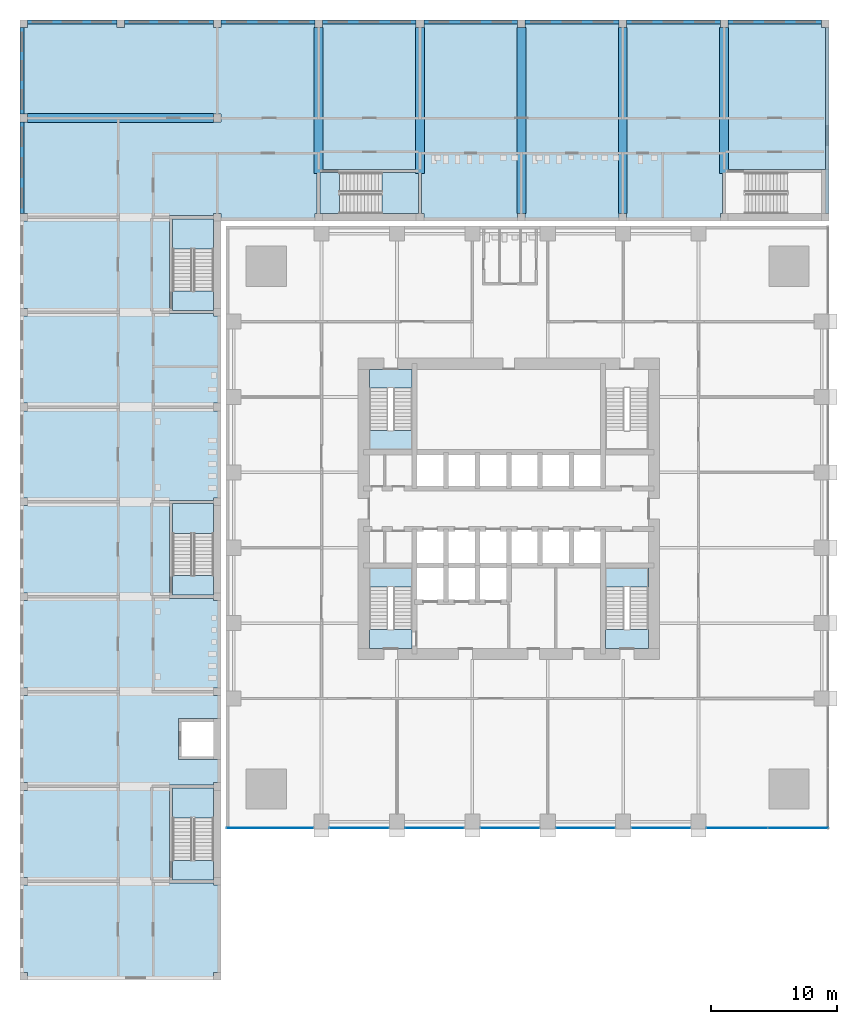
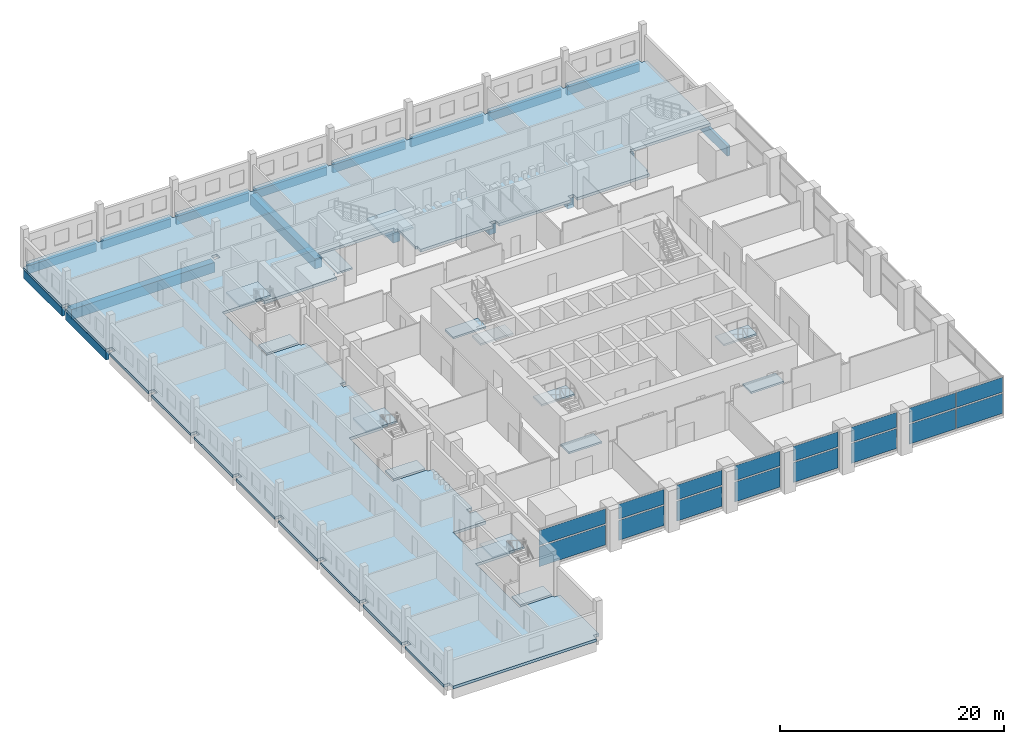
# One storey, part 8 of 24: 17 beams, 16 plates, 15 slabs, 14 elements without a shape of their own.
"""IFC4 building model written with IfcOpenShell, lengths in metres."""

from ifc_helpers import new_model, si_unit, direction, frame, origin, origin_2d, place, context, subcontext, project, spatial, polyline, rectangle, outline, extrude, material, layer, layer_set, material_profile, profile_set, type_object, element, aggregate, save


model = new_model("IFC4")

# Units and contexts
model_context = context("Model", 3, precision=1e-05, world=origin(), true_north=direction((0.0, 1.0)))
body_context = subcontext(model_context, "Body", "Model", "MODEL_VIEW")
ifc_project = project(units=[si_unit("LENGTHUNIT", "METRE"), si_unit("AREAUNIT", "SQUARE_METRE"), si_unit("VOLUMEUNIT", "CUBIC_METRE"), si_unit("PLANEANGLEUNIT", "RADIAN"), si_unit("MASSUNIT", "GRAM", prefix="KILO")], contexts=[model_context])

# Site, building, storey
site_placement = place(None, origin())
site = spatial("IfcSite", under=ifc_project, at=site_placement, CompositionType="ELEMENT")
building_placement = place(site_placement, origin())
building = spatial("IfcBuilding", under=site, at=building_placement, Name="Amberfall Residences", CompositionType="ELEMENT")
storey_placement = place(building_placement, frame((0.0, 0.0, 19.0)))
storey = spatial("IfcBuildingStorey", under=building, at=storey_placement, Name="L04", CompositionType="ELEMENT", Elevation=19.0)

# Beams
ifc_material_1 = material(Name="Concrete C40", Category="concrete")
ifc_material_profile_1 = material_profile(ifc_material_1, rectangle(XDim=0.699951171875, YDim=1.10009765625, at=origin_2d()), Name="School beam 700 x 1100 C40")
ifc_profile_set_1 = profile_set([ifc_material_profile_1], Name="Concrete C40")
beam_type_1 = type_object("IfcBeamType", Name="School beam 700 x 1100 C40", PredefinedType="BEAM", material=ifc_profile_set_1)
beam_1_placement = place(storey_placement, frame((36.199951171875, 76.60009765625, -0.85009765625), z_axis=(1.0, 0.0, 0.0), x_axis=(0.0, 1.0, 0.0)))
element("IfcBeam", 1, at=beam_1_placement, inside=storey, type_object=beam_type_1, Name="TW9", PredefinedType="BEAM", context=body_context, shape_type="SweptSolid", body=[
    extrude(rectangle(XDim=0.699951171875, YDim=1.10009765625, at=origin_2d()), origin(), (0.0, 0.0, 1.0), 14.800048828125),
])
for number, where, z_axis, x_axis, name in (
    (2, (59.366943359375, 72.199951171875, -0.85009765625), (0.0, 1.0, 0.0), (-1.0, 0.0, 0.0), "TN1"),
    (3, (67.43310546875, 72.199951171875, -0.85009765625), (0.0, 1.0, 0.0), (-1.0, 0.0, 0.0), "TN2"),
):
    element("IfcBeam", number, at=place(storey_placement, frame(where, z_axis=z_axis, x_axis=x_axis)), inside=storey, type_object=beam_type_1, Name=name, PredefinedType="BEAM", context=body_context, shape_type="SweptSolid", body=[
        extrude(rectangle(XDim=0.699951171875, YDim=1.10009765625, at=origin_2d()), origin(), (0.0, 0.0, 1.0), 11.60009765625),
    ])
for number, where, z_axis, x_axis, name in (
    (4, (75.5, 69.0, -0.85009765625), (0.0, 1.0, 0.0), (-1.0, 0.0, 0.0), "TN3"),
    (5, (83.56689453125, 69.0, -0.85009765625), (0.0, 1.0, 0.0), (-1.0, 0.0, 0.0), "TN4"),
):
    element("IfcBeam", number, at=place(storey_placement, frame(where, z_axis=z_axis, x_axis=x_axis)), inside=storey, type_object=beam_type_1, Name=name, PredefinedType="BEAM", context=body_context, shape_type="SweptSolid", body=[
        extrude(rectangle(XDim=0.699951171875, YDim=1.10009765625, at=origin_2d()), origin(), (0.0, 0.0, 1.0), 14.800048828125),
    ])
beam_2_placement = place(storey_placement, frame((91.633056640625, 72.199951171875, -0.85009765625), z_axis=(0.0, 1.0, 0.0), x_axis=(-1.0, 0.0, 0.0)))
element("IfcBeam", 6, at=beam_2_placement, inside=storey, type_object=beam_type_1, Name="TN5", PredefinedType="BEAM", context=body_context, shape_type="SweptSolid", body=[
    extrude(rectangle(XDim=0.699951171875, YDim=1.10009765625, at=origin_2d()), origin(), (0.0, 0.0, 1.0), 11.60009765625),
])
ifc_material_profile_2 = material_profile(ifc_material_1, rectangle(XDim=0.300048828125, YDim=0.89990234375, at=origin_2d()), Name="School edge beam 300 x 900 C40")
ifc_profile_set_2 = profile_set([ifc_material_profile_2], Name="Concrete C40")
beam_type_2 = type_object("IfcBeamType", Name="School edge beam 300 x 900 C40", PredefinedType="BEAM", material=ifc_profile_set_2)
beam_3_placement = place(storey_placement, frame((35.75, 69.0, -0.75), z_axis=(0.0, 1.0, 0.0), x_axis=(-1.0, 0.0, 0.0)))
element("IfcBeam", 7, at=beam_3_placement, inside=storey, type_object=beam_type_2, Name="GW8", PredefinedType="BEAM", context=body_context, shape_type="SweptSolid", body=[
    extrude(rectangle(XDim=0.300048828125, YDim=0.89990234375, at=origin_2d()), origin(), (0.0, 0.0, 1.0), 7.300048828125),
])
beam_4_placement = place(storey_placement, frame((35.75, 76.89990234375, -0.75), z_axis=(0.0, 1.0, 0.0), x_axis=(-1.0, 0.0, 0.0)))
element("IfcBeam", 8, at=beam_4_placement, inside=storey, type_object=beam_type_2, Name="GW9", PredefinedType="BEAM", context=body_context, shape_type="SweptSolid", body=[
    extrude(rectangle(XDim=0.300048828125, YDim=0.89990234375, at=origin_2d()), origin(), (0.0, 0.0, 1.0), 6.900146484375),
])
for number, where, z_axis, x_axis, name in (
    (9, (36.199951171875, 84.25, -0.75), (1.0, 0.0, 0.0), (0.0, 1.0, 0.0), "GN0"),
    (10, (43.89990234375, 84.25, -0.75), (1.0, 0.0, 0.0), (0.0, 1.0, 0.0), "GN1"),
):
    element("IfcBeam", number, at=place(storey_placement, frame(where, z_axis=z_axis, x_axis=x_axis)), inside=storey, type_object=beam_type_2, Name=name, PredefinedType="BEAM", context=body_context, shape_type="SweptSolid", body=[
        extrude(rectangle(XDim=0.300048828125, YDim=0.89990234375, at=origin_2d()), origin(), (0.0, 0.0, 1.0), 7.10009765625),
    ])
beam_5_placement = place(storey_placement, frame((51.60009765625, 84.25, -0.75), z_axis=(1.0, 0.0, 0.0), x_axis=(0.0, 1.0, 0.0)))
element("IfcBeam", 11, at=beam_5_placement, inside=storey, type_object=beam_type_2, Name="GN2", PredefinedType="BEAM", context=body_context, shape_type="SweptSolid", body=[
    extrude(rectangle(XDim=0.300048828125, YDim=0.89990234375, at=origin_2d()), origin(), (0.0, 0.0, 1.0), 7.466796875),
])
beam_6_placement = place(storey_placement, frame((59.6669921875, 84.25, -0.75), z_axis=(1.0, 0.0, 0.0), x_axis=(0.0, 1.0, 0.0)))
element("IfcBeam", 12, at=beam_6_placement, inside=storey, type_object=beam_type_2, Name="GN3", PredefinedType="BEAM", context=body_context, shape_type="SweptSolid", body=[
    extrude(rectangle(XDim=0.300048828125, YDim=0.89990234375, at=origin_2d()), origin(), (0.0, 0.0, 1.0), 7.466064453125),
])
for number, where, z_axis, x_axis, name in (
    (13, (67.73291015625, 84.25, -0.75), (1.0, 0.0, 0.0), (0.0, 1.0, 0.0), "GN4"),
    (14, (75.800048828125, 84.25, -0.75), (1.0, 0.0, 0.0), (0.0, 1.0, 0.0), "GN5"),
):
    element("IfcBeam", number, at=place(storey_placement, frame(where, z_axis=z_axis, x_axis=x_axis)), inside=storey, type_object=beam_type_2, Name=name, PredefinedType="BEAM", context=body_context, shape_type="SweptSolid", body=[
        extrude(rectangle(XDim=0.300048828125, YDim=0.89990234375, at=origin_2d()), origin(), (0.0, 0.0, 1.0), 7.467041015625),
    ])
beam_7_placement = place(storey_placement, frame((83.866943359375, 84.25, -0.75), z_axis=(1.0, 0.0, 0.0), x_axis=(0.0, 1.0, 0.0)))
element("IfcBeam", 15, at=beam_7_placement, inside=storey, type_object=beam_type_2, Name="GN6", PredefinedType="BEAM", context=body_context, shape_type="SweptSolid", body=[
    extrude(rectangle(XDim=0.300048828125, YDim=0.89990234375, at=origin_2d()), origin(), (0.0, 0.0, 1.0), 7.466064453125),
])
beam_8_placement = place(storey_placement, frame((91.93310546875, 84.25, -0.75), z_axis=(1.0, 0.0, 0.0), x_axis=(0.0, 1.0, 0.0)))
element("IfcBeam", 16, at=beam_8_placement, inside=storey, type_object=beam_type_2, Name="GN7", PredefinedType="BEAM", context=body_context, shape_type="SweptSolid", body=[
    extrude(rectangle(XDim=0.300048828125, YDim=0.89990234375, at=origin_2d()), origin(), (0.0, 0.0, 1.0), 7.466796875),
])
ifc_material_profile_3 = material_profile(ifc_material_1, rectangle(XDim=0.300048828125, YDim=1.10009765625, at=origin_2d()), Name="School end beam 300 x 1100 C40")
ifc_profile_set_3 = profile_set([ifc_material_profile_3], Name="Concrete C40")
beam_type_3 = type_object("IfcBeamType", Name="School end beam 300 x 1100 C40", PredefinedType="BEAM", material=ifc_profile_set_3)
beam_9_placement = place(storey_placement, frame((99.85009765625, 69.0, -0.85009765625), z_axis=(0.0, 1.0, 0.0), x_axis=(-1.0, 0.0, 0.0)))
element("IfcBeam", 17, at=beam_9_placement, inside=storey, type_object=beam_type_3, Name="EE", PredefinedType="BEAM", context=body_context, shape_type="SweptSolid", body=[
    extrude(rectangle(XDim=0.300048828125, YDim=1.10009765625, at=origin_2d()), origin(), (0.0, 0.0, 1.0), 14.800048828125),
])

# Curtain wall, plates
ifc_material_2 = material(Name="Bronze anodised aluminium and glass", Category="aluminium")
curtain_wall_type = type_object("IfcCurtainWallType", Name="Curtain wall CW4 podium storefront", PredefinedType="USERDEFINED", material=ifc_material_2)
curtain_wall_1_placement = place(storey_placement, origin())
curtain_wall_1 = element("IfcCurtainWall", 18, at=curtain_wall_1_placement, inside=storey, type_object=curtain_wall_type, Name="Storefront L04 S1", ObjectType="UNITISED CURTAIN WALL", PredefinedType="USERDEFINED")
ifc_material_3 = material(Name="Clear toughened glazing", Category="glass")
ifc_layer_1 = layer(ifc_material_3, 0.028076171875)
ifc_layer_set_1 = layer_set([ifc_layer_1], Name="CW4 panel 28 glazing")
plate_type = type_object("IfcPlateType", Name="CW4 panel 28 glazing", PredefinedType="CURTAIN_PANEL", material=ifc_layer_set_1)
plate_1_placement = place(storey_placement, frame((55.5, 20.10009765625, 0.14990234375), z_axis=(0.0, 0.0, 1.0), x_axis=(1.0, 0.0, 0.0)))
plate_1 = element("IfcPlate", 19, at=plate_1_placement, type_object=plate_type, Name="CW4 panel 1.1", PredefinedType="CURTAIN_PANEL", context=body_context, shape_type="SweptSolid", body=[
    extrude(rectangle(XDim=6.860107421875, YDim=0.028076171875, at=origin_2d()), origin(), (0.0, 0.0, 1.0), 2.175048828125),
])
plate_2_placement = place(storey_placement, frame((55.5, 20.10009765625, 2.47509765625), z_axis=(0.0, 0.0, 1.0), x_axis=(1.0, 0.0, 0.0)))
plate_2 = element("IfcPlate", 20, at=plate_2_placement, type_object=plate_type, Name="CW4 panel 1.2", PredefinedType="CURTAIN_PANEL", context=body_context, shape_type="SweptSolid", body=[
    extrude(rectangle(XDim=6.860107421875, YDim=0.028076171875, at=origin_2d()), origin(), (0.0, 0.0, 1.0), 1.625),
])
aggregate(curtain_wall_1, [plate_1, plate_2])

curtain_wall_2_placement = place(storey_placement, origin())
curtain_wall_2 = element("IfcCurtainWall", 21, at=curtain_wall_2_placement, inside=storey, type_object=curtain_wall_type, Name="Storefront L04 S2", ObjectType="UNITISED CURTAIN WALL", PredefinedType="USERDEFINED")
plate_3_placement = place(storey_placement, frame((62.60009765625, 20.10009765625, 0.14990234375), z_axis=(0.0, 0.0, 1.0), x_axis=(1.0, 0.0, 0.0)))
plate_3 = element("IfcPlate", 22, at=plate_3_placement, type_object=plate_type, Name="CW4 panel 1.1", PredefinedType="CURTAIN_PANEL", context=body_context, shape_type="SweptSolid", body=[
    extrude(rectangle(XDim=4.659912109375, YDim=0.028076171875, at=origin_2d()), origin(), (0.0, 0.0, 1.0), 2.175048828125),
])
plate_4_placement = place(storey_placement, frame((62.60009765625, 20.10009765625, 2.47509765625), z_axis=(0.0, 0.0, 1.0), x_axis=(1.0, 0.0, 0.0)))
plate_4 = element("IfcPlate", 23, at=plate_4_placement, type_object=plate_type, Name="CW4 panel 1.2", PredefinedType="CURTAIN_PANEL", context=body_context, shape_type="SweptSolid", body=[
    extrude(rectangle(XDim=4.659912109375, YDim=0.028076171875, at=origin_2d()), origin(), (0.0, 0.0, 1.0), 1.625),
])
aggregate(curtain_wall_2, [plate_3, plate_4])

curtain_wall_3_placement = place(storey_placement, origin())
curtain_wall_3 = element("IfcCurtainWall", 24, at=curtain_wall_3_placement, inside=storey, type_object=curtain_wall_type, Name="Storefront L04 S3", ObjectType="UNITISED CURTAIN WALL", PredefinedType="USERDEFINED")
plate_5_placement = place(storey_placement, frame((68.60009765625, 20.10009765625, 0.14990234375), z_axis=(0.0, 0.0, 1.0), x_axis=(1.0, 0.0, 0.0)))
plate_5 = element("IfcPlate", 25, at=plate_5_placement, type_object=plate_type, Name="CW4 panel 1.1", PredefinedType="CURTAIN_PANEL", context=body_context, shape_type="SweptSolid", body=[
    extrude(rectangle(XDim=4.659912109375, YDim=0.028076171875, at=origin_2d()), origin(), (0.0, 0.0, 1.0), 2.175048828125),
])
plate_6_placement = place(storey_placement, frame((68.60009765625, 20.10009765625, 2.47509765625), z_axis=(0.0, 0.0, 1.0), x_axis=(1.0, 0.0, 0.0)))
plate_6 = element("IfcPlate", 26, at=plate_6_placement, type_object=plate_type, Name="CW4 panel 1.2", PredefinedType="CURTAIN_PANEL", context=body_context, shape_type="SweptSolid", body=[
    extrude(rectangle(XDim=4.659912109375, YDim=0.028076171875, at=origin_2d()), origin(), (0.0, 0.0, 1.0), 1.625),
])
aggregate(curtain_wall_3, [plate_5, plate_6])

curtain_wall_4_placement = place(storey_placement, origin())
curtain_wall_4 = element("IfcCurtainWall", 27, at=curtain_wall_4_placement, inside=storey, type_object=curtain_wall_type, Name="Storefront L04 S4", ObjectType="UNITISED CURTAIN WALL", PredefinedType="USERDEFINED")
plate_7_placement = place(storey_placement, frame((74.60009765625, 20.10009765625, 0.14990234375), z_axis=(0.0, 0.0, 1.0), x_axis=(1.0, 0.0, 0.0)))
plate_7 = element("IfcPlate", 28, at=plate_7_placement, type_object=plate_type, Name="CW4 panel 1.1", PredefinedType="CURTAIN_PANEL", context=body_context, shape_type="SweptSolid", body=[
    extrude(rectangle(XDim=4.659912109375, YDim=0.028076171875, at=origin_2d()), origin(), (0.0, 0.0, 1.0), 2.175048828125),
])
plate_8_placement = place(storey_placement, frame((74.60009765625, 20.10009765625, 2.47509765625), z_axis=(0.0, 0.0, 1.0), x_axis=(1.0, 0.0, 0.0)))
plate_8 = element("IfcPlate", 29, at=plate_8_placement, type_object=plate_type, Name="CW4 panel 1.2", PredefinedType="CURTAIN_PANEL", context=body_context, shape_type="SweptSolid", body=[
    extrude(rectangle(XDim=4.659912109375, YDim=0.028076171875, at=origin_2d()), origin(), (0.0, 0.0, 1.0), 1.625),
])
aggregate(curtain_wall_4, [plate_7, plate_8])

curtain_wall_5_placement = place(storey_placement, origin())
curtain_wall_5 = element("IfcCurtainWall", 30, at=curtain_wall_5_placement, inside=storey, type_object=curtain_wall_type, Name="Storefront L04 S5", ObjectType="UNITISED CURTAIN WALL", PredefinedType="USERDEFINED")
plate_9_placement = place(storey_placement, frame((80.60009765625, 20.10009765625, 0.14990234375), z_axis=(0.0, 0.0, 1.0), x_axis=(1.0, 0.0, 0.0)))
plate_9 = element("IfcPlate", 31, at=plate_9_placement, type_object=plate_type, Name="CW4 panel 1.1", PredefinedType="CURTAIN_PANEL", context=body_context, shape_type="SweptSolid", body=[
    extrude(rectangle(XDim=4.659912109375, YDim=0.028076171875, at=origin_2d()), origin(), (0.0, 0.0, 1.0), 2.175048828125),
])
plate_10_placement = place(storey_placement, frame((80.60009765625, 20.10009765625, 2.47509765625), z_axis=(0.0, 0.0, 1.0), x_axis=(1.0, 0.0, 0.0)))
plate_10 = element("IfcPlate", 32, at=plate_10_placement, type_object=plate_type, Name="CW4 panel 1.2", PredefinedType="CURTAIN_PANEL", context=body_context, shape_type="SweptSolid", body=[
    extrude(rectangle(XDim=4.659912109375, YDim=0.028076171875, at=origin_2d()), origin(), (0.0, 0.0, 1.0), 1.625),
])
aggregate(curtain_wall_5, [plate_9, plate_10])

curtain_wall_6_placement = place(storey_placement, origin())
curtain_wall_6 = element("IfcCurtainWall", 33, at=curtain_wall_6_placement, inside=storey, type_object=curtain_wall_type, Name="Storefront L04 S6", ObjectType="UNITISED CURTAIN WALL", PredefinedType="USERDEFINED")
plate_11_placement = place(storey_placement, frame((86.60009765625, 20.10009765625, 0.14990234375), z_axis=(0.0, 0.0, 1.0), x_axis=(1.0, 0.0, 0.0)))
plate_11 = element("IfcPlate", 34, at=plate_11_placement, type_object=plate_type, Name="CW4 panel 1.1", PredefinedType="CURTAIN_PANEL", context=body_context, shape_type="SweptSolid", body=[
    extrude(rectangle(XDim=4.659912109375, YDim=0.028076171875, at=origin_2d()), origin(), (0.0, 0.0, 1.0), 2.175048828125),
])
plate_12_placement = place(storey_placement, frame((86.60009765625, 20.10009765625, 2.47509765625), z_axis=(0.0, 0.0, 1.0), x_axis=(1.0, 0.0, 0.0)))
plate_12 = element("IfcPlate", 35, at=plate_12_placement, type_object=plate_type, Name="CW4 panel 1.2", PredefinedType="CURTAIN_PANEL", context=body_context, shape_type="SweptSolid", body=[
    extrude(rectangle(XDim=4.659912109375, YDim=0.028076171875, at=origin_2d()), origin(), (0.0, 0.0, 1.0), 1.625),
])
aggregate(curtain_wall_6, [plate_11, plate_12])

curtain_wall_7_placement = place(storey_placement, origin())
curtain_wall_7 = element("IfcCurtainWall", 36, at=curtain_wall_7_placement, inside=storey, type_object=curtain_wall_type, Name="Storefront L04 S7", ObjectType="UNITISED CURTAIN WALL", PredefinedType="USERDEFINED")
plate_13_placement = place(storey_placement, frame((92.66748046875, 20.10009765625, 0.14990234375), z_axis=(0.0, 0.0, 1.0), x_axis=(1.0, 0.0, 0.0)))
plate_13 = element("IfcPlate", 37, at=plate_13_placement, type_object=plate_type, Name="CW4 panel 1.1", PredefinedType="CURTAIN_PANEL", context=body_context, shape_type="SweptSolid", body=[
    extrude(rectangle(XDim=4.794921875, YDim=0.028076171875, at=origin_2d()), origin(), (0.0, 0.0, 1.0), 2.175048828125),
])
plate_14_placement = place(storey_placement, frame((92.66748046875, 20.10009765625, 2.47509765625), z_axis=(0.0, 0.0, 1.0), x_axis=(1.0, 0.0, 0.0)))
plate_14 = element("IfcPlate", 38, at=plate_14_placement, type_object=plate_type, Name="CW4 panel 1.2", PredefinedType="CURTAIN_PANEL", context=body_context, shape_type="SweptSolid", body=[
    extrude(rectangle(XDim=4.794921875, YDim=0.028076171875, at=origin_2d()), origin(), (0.0, 0.0, 1.0), 1.625),
])
plate_15_placement = place(storey_placement, frame((97.532470703125, 20.10009765625, 0.14990234375), z_axis=(0.0, 0.0, 1.0), x_axis=(1.0, 0.0, 0.0)))
plate_15 = element("IfcPlate", 39, at=plate_15_placement, type_object=plate_type, Name="CW4 panel 2.1", PredefinedType="CURTAIN_PANEL", context=body_context, shape_type="SweptSolid", body=[
    extrude(rectangle(XDim=4.794921875, YDim=0.028076171875, at=origin_2d()), origin(), (0.0, 0.0, 1.0), 2.175048828125),
])
plate_16_placement = place(storey_placement, frame((97.532470703125, 20.10009765625, 2.47509765625), z_axis=(0.0, 0.0, 1.0), x_axis=(1.0, 0.0, 0.0)))
plate_16 = element("IfcPlate", 40, at=plate_16_placement, type_object=plate_type, Name="CW4 panel 2.2", PredefinedType="CURTAIN_PANEL", context=body_context, shape_type="SweptSolid", body=[
    extrude(rectangle(XDim=4.794921875, YDim=0.028076171875, at=origin_2d()), origin(), (0.0, 0.0, 1.0), 1.625),
])
aggregate(curtain_wall_7, [plate_13, plate_14, plate_15, plate_16])

# Slab
ifc_layer_2 = layer(ifc_material_1, 0.300048828125)
ifc_layer_set_2 = layer_set([ifc_layer_2], Name="School floor slab 300 C40")
slab_type_1 = type_object("IfcSlabType", Name="School floor slab 300 C40", PredefinedType="FLOOR", material=ifc_layer_set_2)
slab_1_placement = place(storey_placement, frame((0.0, 0.0, -0.300048828125)))
element("IfcSlab", 41, at=slab_1_placement, inside=storey, type_object=slab_type_1, Name="School floor L04", PredefinedType="FLOOR", context=body_context, shape_type="SweptSolid", body=[
    extrude(outline(polyline([(36.199951171875, 8.60009765625), (36.199951171875, 8.0), (51.0, 8.0), (51.0, 8.60009765625), (51.60009765625, 8.60009765625), (51.60009765625, 15.550048828125), (51.0, 15.550048828125), (51.0, 15.72509765625), (47.5, 15.72509765625), (47.5, 15.97509765625), (47.5, 23.27490234375), (47.5, 23.52490234375), (51.0, 23.52490234375), (51.0, 23.699951171875), (51.60009765625, 23.699951171875), (51.60009765625, 25.550048828125), (51.0, 25.550048828125), (48.199951171875, 25.550048828125), (48.199951171875, 25.675048828125), (48.199951171875, 25.800048828125), (48.199951171875, 28.550048828125), (48.199951171875, 28.675048828125), (48.199951171875, 28.800048828125), (51.0, 28.800048828125), (51.60009765625, 28.800048828125), (51.60009765625, 30.64990234375), (51.0, 30.64990234375), (51.0, 31.25), (51.60009765625, 31.25), (51.60009765625, 38.199951171875), (51.0, 38.199951171875), (51.0, 38.375), (47.5, 38.375), (47.5, 38.625), (47.5, 45.925048828125), (47.5, 46.175048828125), (51.0, 46.175048828125), (51.0, 46.35009765625), (51.60009765625, 46.35009765625), (51.60009765625, 53.300048828125), (51.0, 53.300048828125), (51.0, 53.89990234375), (51.60009765625, 53.89990234375), (51.60009765625, 60.85009765625), (51.0, 60.85009765625), (51.0, 61.02490234375), (47.5, 61.02490234375), (47.5, 61.27490234375), (47.5, 68.574951171875), (47.5, 68.824951171875), (51.0, 68.824951171875), (51.0, 69.0), (51.60009765625, 69.0), (51.60009765625, 68.39990234375), (59.06689453125, 68.39990234375), (59.06689453125, 69.0), (59.241943359375, 69.0), (59.241943359375, 72.25), (59.491943359375, 72.25), (59.491943359375, 72.5), (67.30810546875, 72.5), (67.30810546875, 72.25), (67.55810546875, 72.25), (67.55810546875, 69.0), (67.73291015625, 69.0), (67.73291015625, 68.39990234375), (75.199951171875, 68.39990234375), (75.199951171875, 69.0), (75.800048828125, 69.0), (75.800048828125, 68.39990234375), (83.26708984375, 68.39990234375), (83.26708984375, 69.0), (83.866943359375, 69.0), (83.866943359375, 68.39990234375), (91.3330078125, 68.39990234375), (91.3330078125, 69.0), (91.508056640625, 69.0), (91.508056640625, 72.25), (91.758056640625, 72.25), (91.758056640625, 72.5), (99.39990234375, 72.5), (100.0, 72.5), (100.0, 83.800048828125), (99.39990234375, 83.800048828125), (99.39990234375, 84.39990234375), (91.93310546875, 84.39990234375), (91.93310546875, 83.800048828125), (91.3330078125, 83.800048828125), (91.3330078125, 84.39990234375), (83.866943359375, 84.39990234375), (83.866943359375, 83.800048828125), (83.26708984375, 83.800048828125), (83.26708984375, 84.39990234375), (75.800048828125, 84.39990234375), (75.800048828125, 83.800048828125), (75.199951171875, 83.800048828125), (75.199951171875, 84.39990234375), (67.73291015625, 84.39990234375), (67.73291015625, 83.800048828125), (67.133056640625, 83.800048828125), (67.133056640625, 84.39990234375), (59.6669921875, 84.39990234375), (59.6669921875, 83.800048828125), (59.06689453125, 83.800048828125), (59.06689453125, 84.39990234375), (51.60009765625, 84.39990234375), (51.60009765625, 83.800048828125), (51.0, 83.800048828125), (51.0, 84.39990234375), (43.89990234375, 84.39990234375), (43.89990234375, 83.800048828125), (43.300048828125, 83.800048828125), (43.300048828125, 84.39990234375), (36.199951171875, 84.39990234375), (36.199951171875, 83.800048828125), (35.60009765625, 83.800048828125), (35.60009765625, 76.89990234375), (36.199951171875, 76.89990234375), (36.199951171875, 76.300048828125), (35.60009765625, 76.300048828125), (35.60009765625, 69.0), (36.199951171875, 69.0), (36.199951171875, 68.39990234375), (35.60009765625, 68.39990234375), (35.60009765625, 61.449951171875), (36.199951171875, 61.449951171875), (36.199951171875, 60.85009765625), (35.60009765625, 60.85009765625), (35.60009765625, 53.89990234375), (36.199951171875, 53.89990234375), (36.199951171875, 53.300048828125), (35.60009765625, 53.300048828125), (35.60009765625, 46.35009765625), (36.199951171875, 46.35009765625), (36.199951171875, 45.75), (35.60009765625, 45.75), (35.60009765625, 38.800048828125), (36.199951171875, 38.800048828125), (36.199951171875, 38.199951171875), (35.60009765625, 38.199951171875), (35.60009765625, 31.25), (36.199951171875, 31.25), (36.199951171875, 30.64990234375), (35.60009765625, 30.64990234375), (35.60009765625, 23.699951171875), (36.199951171875, 23.699951171875), (36.199951171875, 23.10009765625), (35.60009765625, 23.10009765625), (35.60009765625, 16.14990234375), (36.199951171875, 16.14990234375), (36.199951171875, 15.550048828125), (35.60009765625, 15.550048828125), (35.60009765625, 8.60009765625), (36.199951171875, 8.60009765625)]), holes=[polyline([(51.0, 76.300048828125), (51.0, 76.89990234375), (51.60009765625, 76.89990234375), (51.60009765625, 76.300048828125), (51.0, 76.300048828125)])]), origin(), (0.0, 0.0, 1.0), 0.300048828125),
])

# Stair, slabs
stair_type_1 = type_object("IfcStairType", Name="School stair", PredefinedType="HALF_TURN_STAIR", material=ifc_material_1)
stair_1_placement = place(storey_placement, origin())
stair_1 = element("IfcStair", 42, at=stair_1_placement, inside=storey, type_object=stair_type_1, Name="L04 Stair SS1", PredefinedType="HALF_TURN_STAIR")
ifc_layer_3 = layer(ifc_material_1, 0.199951171875)
ifc_layer_set_3 = layer_set([ifc_layer_3], Name="School stair landing")
slab_type_2 = type_object("IfcSlabType", Name="School stair landing", PredefinedType="LANDING", material=ifc_layer_set_3)
slab_2_placement = place(storey_placement, frame((0.0, 0.0, 2.050048828125)))
slab_2 = element("IfcSlab", 43, at=slab_2_placement, type_object=slab_type_2, Name="SS1 landing 1", PredefinedType="LANDING", context=body_context, shape_type="SweptSolid", body=[
    extrude(outline(polyline([(51.0, 20.885009765625), (51.0, 23.27490234375), (47.75, 23.27490234375), (47.75, 20.885009765625), (51.0, 20.885009765625)])), origin(), (0.0, 0.0, 1.0), 0.199951171875),
])
slab_3_placement = place(storey_placement, frame((0.0, 0.0, -0.199951171875)))
slab_3 = element("IfcSlab", 44, at=slab_3_placement, type_object=slab_type_2, Name="SS1 landing 2", PredefinedType="LANDING", context=body_context, shape_type="SweptSolid", body=[
    extrude(outline(polyline([(51.0, 15.97509765625), (51.0, 17.52490234375), (47.75, 17.52490234375), (47.75, 15.97509765625), (51.0, 15.97509765625)])), origin(), (0.0, 0.0, 1.0), 0.199951171875),
])
aggregate(stair_1, [slab_2, slab_3])

stair_2_placement = place(storey_placement, origin())
stair_2 = element("IfcStair", 45, at=stair_2_placement, inside=storey, type_object=stair_type_1, Name="L04 Stair SS2", PredefinedType="HALF_TURN_STAIR")
slab_4_placement = place(storey_placement, frame((0.0, 0.0, 2.050048828125)))
slab_4 = element("IfcSlab", 46, at=slab_4_placement, type_object=slab_type_2, Name="SS2 landing 1", PredefinedType="LANDING", context=body_context, shape_type="SweptSolid", body=[
    extrude(outline(polyline([(51.0, 43.534912109375), (51.0, 45.925048828125), (47.75, 45.925048828125), (47.75, 43.534912109375), (51.0, 43.534912109375)])), origin(), (0.0, 0.0, 1.0), 0.199951171875),
])
slab_5_placement = place(storey_placement, frame((0.0, 0.0, -0.199951171875)))
slab_5 = element("IfcSlab", 47, at=slab_5_placement, type_object=slab_type_2, Name="SS2 landing 2", PredefinedType="LANDING", context=body_context, shape_type="SweptSolid", body=[
    extrude(outline(polyline([(51.0, 38.625), (51.0, 40.175048828125), (47.75, 40.175048828125), (47.75, 38.625), (51.0, 38.625)])), origin(), (0.0, 0.0, 1.0), 0.199951171875),
])
aggregate(stair_2, [slab_4, slab_5])

stair_3_placement = place(storey_placement, origin())
stair_3 = element("IfcStair", 48, at=stair_3_placement, inside=storey, type_object=stair_type_1, Name="L04 Stair SS3", PredefinedType="HALF_TURN_STAIR")
slab_6_placement = place(storey_placement, frame((0.0, 0.0, 2.050048828125)))
slab_6 = element("IfcSlab", 49, at=slab_6_placement, type_object=slab_type_2, Name="SS3 landing 1", PredefinedType="LANDING", context=body_context, shape_type="SweptSolid", body=[
    extrude(outline(polyline([(51.0, 66.18505859375), (51.0, 68.574951171875), (47.75, 68.574951171875), (47.75, 66.18505859375), (51.0, 66.18505859375)])), origin(), (0.0, 0.0, 1.0), 0.199951171875),
])
slab_7_placement = place(storey_placement, frame((0.0, 0.0, -0.199951171875)))
slab_7 = element("IfcSlab", 50, at=slab_7_placement, type_object=slab_type_2, Name="SS3 landing 2", PredefinedType="LANDING", context=body_context, shape_type="SweptSolid", body=[
    extrude(outline(polyline([(51.0, 61.27490234375), (51.0, 62.824951171875), (47.75, 62.824951171875), (47.75, 61.27490234375), (51.0, 61.27490234375)])), origin(), (0.0, 0.0, 1.0), 0.199951171875),
])
aggregate(stair_3, [slab_6, slab_7])

stair_4_placement = place(storey_placement, origin())
stair_4 = element("IfcStair", 51, at=stair_4_placement, inside=storey, type_object=stair_type_1, Name="L04 Stair SS4", PredefinedType="HALF_TURN_STAIR")
slab_8_placement = place(storey_placement, frame((0.0, 0.0, 2.050048828125)))
slab_8 = element("IfcSlab", 52, at=slab_8_placement, type_object=slab_type_2, Name="SS4 landing 1", PredefinedType="LANDING", context=body_context, shape_type="SweptSolid", body=[
    extrude(outline(polyline([(64.402099609375, 69.0), (67.30810546875, 69.0), (67.30810546875, 72.25), (64.402099609375, 72.25), (64.402099609375, 69.0)])), origin(), (0.0, 0.0, 1.0), 0.199951171875),
])
slab_9_placement = place(storey_placement, frame((0.0, 0.0, -0.199951171875)))
slab_9 = element("IfcSlab", 53, at=slab_9_placement, type_object=slab_type_2, Name="SS4 landing 2", PredefinedType="LANDING", context=body_context, shape_type="SweptSolid", body=[
    extrude(outline(polyline([(59.491943359375, 69.0), (61.0419921875, 69.0), (61.0419921875, 72.25), (59.491943359375, 72.25), (59.491943359375, 69.0)])), origin(), (0.0, 0.0, 1.0), 0.199951171875),
])
aggregate(stair_4, [slab_8, slab_9])

stair_type_2 = type_object("IfcStairType", Name="Exit stair 26 risers 173.1 mm", PredefinedType="HALF_TURN_STAIR", material=ifc_material_1)
stair_5_placement = place(storey_placement, origin())
stair_5 = element("IfcStair", 54, at=stair_5_placement, inside=storey, type_object=stair_type_2, Name="L04 Exit stair 1", PredefinedType="HALF_TURN_STAIR")
ifc_layer_4 = layer(ifc_material_1, 0.199951171875)
ifc_layer_set_4 = layer_set([ifc_layer_4], Name="Stair landing 200")
slab_type_3 = type_object("IfcSlabType", Name="Stair landing 200", PredefinedType="LANDING", material=ifc_layer_set_4)
slab_10_placement = place(storey_placement, frame((0.0, 0.0, 2.050048828125)))
slab_10 = element("IfcSlab", 55, at=slab_10_placement, type_object=slab_type_3, Name="ST2 landing 1", PredefinedType="LANDING", context=body_context, shape_type="SweptSolid", body=[
    extrude(outline(polyline([(66.800048828125, 39.260009765625), (66.800048828125, 40.800048828125), (63.39990234375, 40.800048828125), (63.39990234375, 39.260009765625), (66.800048828125, 39.260009765625)])), origin(), (0.0, 0.0, 1.0), 0.199951171875),
])
slab_11_placement = place(storey_placement, frame((0.0, 0.0, -0.199951171875)))
slab_11 = element("IfcSlab", 56, at=slab_11_placement, type_object=slab_type_3, Name="ST2 landing 2", PredefinedType="LANDING", context=body_context, shape_type="SweptSolid", body=[
    extrude(outline(polyline([(66.800048828125, 34.39990234375), (66.800048828125, 35.89990234375), (63.39990234375, 35.89990234375), (63.39990234375, 34.39990234375), (66.800048828125, 34.39990234375)])), origin(), (0.0, 0.0, 1.0), 0.199951171875),
])
aggregate(stair_5, [slab_10, slab_11])

stair_6_placement = place(storey_placement, origin())
stair_6 = element("IfcStair", 57, at=stair_6_placement, inside=storey, type_object=stair_type_2, Name="L04 Exit stair 2", PredefinedType="HALF_TURN_STAIR")
slab_12_placement = place(storey_placement, frame((0.0, 0.0, 2.050048828125)))
slab_12 = element("IfcSlab", 58, at=slab_12_placement, type_object=slab_type_3, Name="ST2 landing 1", PredefinedType="LANDING", context=body_context, shape_type="SweptSolid", body=[
    extrude(outline(polyline([(85.60009765625, 39.260009765625), (85.60009765625, 40.800048828125), (82.199951171875, 40.800048828125), (82.199951171875, 39.260009765625), (85.60009765625, 39.260009765625)])), origin(), (0.0, 0.0, 1.0), 0.199951171875),
])
slab_13_placement = place(storey_placement, frame((0.0, 0.0, -0.199951171875)))
slab_13 = element("IfcSlab", 59, at=slab_13_placement, type_object=slab_type_3, Name="ST2 landing 2", PredefinedType="LANDING", context=body_context, shape_type="SweptSolid", body=[
    extrude(outline(polyline([(85.60009765625, 34.39990234375), (85.60009765625, 35.89990234375), (82.199951171875, 35.89990234375), (82.199951171875, 34.39990234375), (85.60009765625, 34.39990234375)])), origin(), (0.0, 0.0, 1.0), 0.199951171875),
])
aggregate(stair_6, [slab_12, slab_13])

stair_7_placement = place(storey_placement, origin())
stair_7 = element("IfcStair", 60, at=stair_7_placement, inside=storey, type_object=stair_type_2, Name="L04 Exit stair 4", PredefinedType="HALF_TURN_STAIR")
slab_14_placement = place(storey_placement, frame((0.0, 0.0, 2.050048828125)))
slab_14 = element("IfcSlab", 61, at=slab_14_placement, type_object=slab_type_3, Name="ST2 landing 1", PredefinedType="LANDING", context=body_context, shape_type="SweptSolid", body=[
    extrude(outline(polyline([(63.39990234375, 51.739990234375), (63.39990234375, 50.199951171875), (66.800048828125, 50.199951171875), (66.800048828125, 51.739990234375), (63.39990234375, 51.739990234375)])), origin(), (0.0, 0.0, 1.0), 0.199951171875),
])
slab_15_placement = place(storey_placement, frame((0.0, 0.0, -0.199951171875)))
slab_15 = element("IfcSlab", 62, at=slab_15_placement, type_object=slab_type_3, Name="ST2 landing 2", PredefinedType="LANDING", context=body_context, shape_type="SweptSolid", body=[
    extrude(outline(polyline([(63.39990234375, 56.60009765625), (63.39990234375, 55.10009765625), (66.800048828125, 55.10009765625), (66.800048828125, 56.60009765625), (63.39990234375, 56.60009765625)])), origin(), (0.0, 0.0, 1.0), 0.199951171875),
])
aggregate(stair_7, [slab_14, slab_15])

save(model, "model.ifc")
